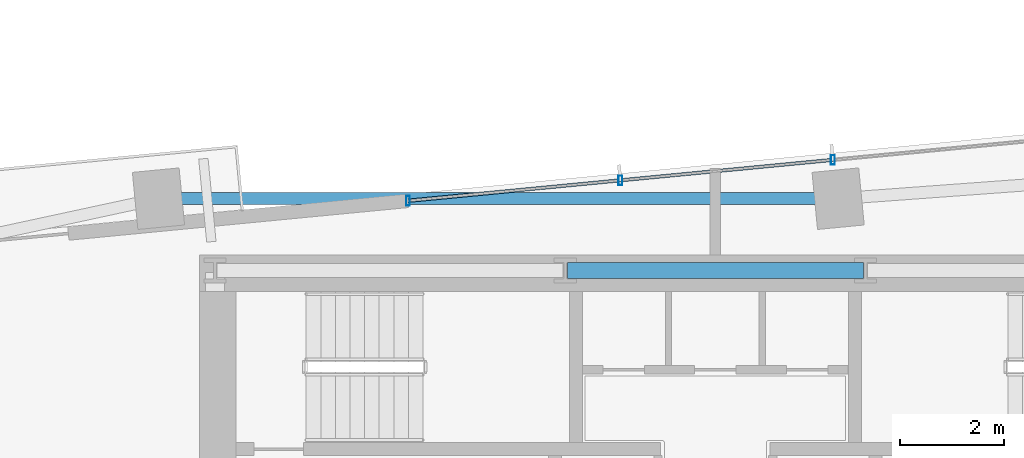
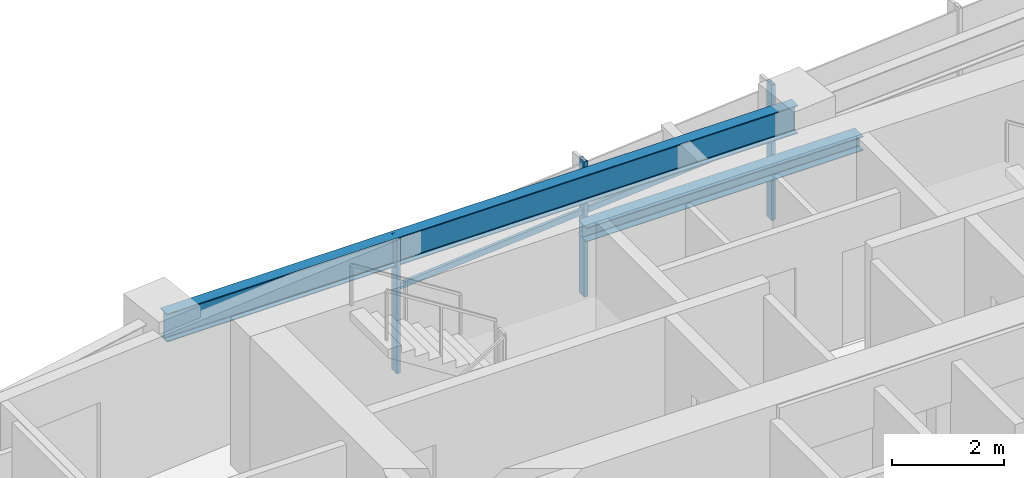
# One storey, part 10 of 27: 5 members, 2 beams, 1 element without a shape of its own.
"""IFC4 building model written with IfcOpenShell, lengths in metres."""

from ifc_helpers import new_model, si_unit, direction, frame, origin, origin_2d, place, context, subcontext, project, spatial, hollow_rectangle, i_section, extrude, source, transform, mapped, material, material_profile, profile_set, type_object, type_shapes, element, aggregate, save


model = new_model("IFC4")

# Units and contexts
model_context = context("Model", 3, precision=1e-05, world=origin(), true_north=direction((0.0, 1.0)))
body_context = subcontext(model_context, "Body", "Model", "MODEL_VIEW")
ifc_project = project(units=[si_unit("LENGTHUNIT", "METRE"), si_unit("AREAUNIT", "SQUARE_METRE"), si_unit("VOLUMEUNIT", "CUBIC_METRE"), si_unit("PLANEANGLEUNIT", "RADIAN"), si_unit("MASSUNIT", "GRAM", prefix="KILO")], contexts=[model_context])

# Site, building, storey
site_placement = place(None, origin())
site = spatial("IfcSite", under=ifc_project, at=site_placement, CompositionType="ELEMENT")
building_placement = place(site_placement, origin())
building = spatial("IfcBuilding", under=site, at=building_placement, Name="Astriad Promenade Condominiums", CompositionType="ELEMENT")
storey_placement = place(building_placement, frame((0.0, 0.0, 109.800048828125)))
storey = spatial("IfcBuildingStorey", under=building, at=storey_placement, Name="L31", CompositionType="ELEMENT", Elevation=109.800048828125)

# Beams
ifc_material_1 = material(Name="Steel ASTM A992 Grade 50", Category="steel")
ifc_material_profile_1 = material_profile(ifc_material_1, i_section(OverallWidth=0.3046875, OverallDepth=0.307861328125, WebThickness=0.010009765625, FlangeThickness=0.015380859375, FilletRadius=0.01513671875, at=origin_2d()), Name="W12X65")
ifc_profile_set_1 = profile_set([ifc_material_profile_1], Name="Steel ASTM A992 Grade 50")
beam_type_1 = type_object("IfcBeamType", Name="STEEL OPENING LINTEL W12X65", PredefinedType="LINTEL", material=ifc_profile_set_1)
shared_shape_1 = source(origin(), body_context, "Body", "SweptSolid", [
    extrude(i_section(OverallWidth=0.3046875, OverallDepth=0.307861328125, WebThickness=0.010009765625, FlangeThickness=0.015380859375, FilletRadius=0.01513671875, at=origin_2d()), origin(), (0.0, 0.0, 1.0), 5.68017578125),
])
type_shapes(beam_type_1, [shared_shape_1])
beam_1_placement = place(storey_placement, frame((33.159912109375, 24.0, 2.7861328125), z_axis=(1.0, 0.0, 0.0), x_axis=(0.0, 1.0, 0.0)))
element("IfcBeam", 1, at=beam_1_placement, inside=storey, type_object=beam_type_1, Name="Core Ring Beam CG-N2-L31", PredefinedType="LINTEL", context=body_context, shape_type="MappedRepresentation", body=[
    mapped(shared_shape_1, transform((0.0, 0.0, 0.0), scale=1.0)),
])
ifc_material_profile_2 = material_profile(ifc_material_1, i_section(OverallWidth=0.22900390625, OverallDepth=0.612060546875, WebThickness=0.011962890625, FlangeThickness=0.01953125, FilletRadius=0.017822265625, at=origin_2d()), Name="W24X84")
ifc_profile_set_2 = profile_set([ifc_material_profile_2], Name="Steel ASTM A992 Grade 50")
beam_type_2 = type_object("IfcBeamType", Name="STEEL SPANDREL BEAM W24X84", PredefinedType="SPANDREL", material=ifc_profile_set_2)
shared_shape_2 = source(origin(), body_context, "Body", "SweptSolid", [
    extrude(i_section(OverallWidth=0.22900390625, OverallDepth=0.612060546875, WebThickness=0.011962890625, FlangeThickness=0.01953125, FilletRadius=0.017822265625, at=origin_2d()), origin(), (0.0, 0.0, 1.0), 12.959716796875),
])
type_shapes(beam_type_2, [shared_shape_2])
beam_2_placement = place(storey_placement, frame((38.314697265625, 25.3798828125, 2.6337890625), z_axis=(-1.0, 0.0, 0.0), x_axis=(0.0, -1.0, 0.0)))
element("IfcBeam", 2, at=beam_2_placement, inside=storey, type_object=beam_type_2, Name="Perimeter Spandrel Beam SP-N2-L31", PredefinedType="SPANDREL", context=body_context, shape_type="MappedRepresentation", body=[
    mapped(shared_shape_2, transform((0.0, 0.0, 0.0), scale=1.0)),
])

# Curtain wall, members
ifc_material_2 = material(Name="Anodised aluminium Black Dark Glass Unitised", Category="aluminium")
curtain_wall_type = type_object("IfcCurtainWallType", Name="CW-B2-DARK", PredefinedType="USERDEFINED", material=ifc_material_2)
curtain_wall_placement = place(storey_placement, origin())
curtain_wall = element("IfcCurtainWall", 3, at=curtain_wall_placement, inside=storey, type_object=curtain_wall_type, Name="CW-L31-N", ObjectType="UNITISED_CURTAIN_WALL", PredefinedType="USERDEFINED")
ifc_material_3 = material(Name="Anodised aluminium 6063-T6 Black", Category="aluminium")
ifc_material_profile_3 = material_profile(ifc_material_3, hollow_rectangle(XDim=0.074951171875, YDim=0.18505859375, WallThickness=0.00439453125, at=origin_2d()), Name="ALU-MUL-75X185")
ifc_profile_set_3 = profile_set([ifc_material_profile_3], Name="Anodised aluminium 6063-T6 Black")
member_type_1 = type_object("IfcMemberType", Name="MUL-ALU-MUL-75X185", PredefinedType="MULLION", material=ifc_profile_set_3)
shared_shape_3 = source(origin(), body_context, "Body", "SweptSolid", [
    extrude(hollow_rectangle(XDim=0.074951171875, YDim=0.18505859375, WallThickness=0.00439453125, at=origin_2d()), origin(), (0.0, 0.0, 1.0), 2.93994140625),
])
type_shapes(member_type_1, [shared_shape_3])
member_1_placement = place(storey_placement, frame((30.101806640625, 25.339599609375, 0.0), z_axis=(0.0, 0.0, 1.0), x_axis=(1.0, 0.0, 0.0)))
member_1 = element("IfcMember", 4, at=member_1_placement, type_object=member_type_1, Name="CW-L31-N-MUL-00", PredefinedType="MULLION", context=body_context, shape_type="MappedRepresentation", body=[
    mapped(shared_shape_3, transform((0.0, 0.0, 0.0), scale=1.0)),
])
member_2_placement = place(storey_placement, frame((34.177734375, 25.732177734375, 0.0), z_axis=(0.0, 0.0, 1.0), x_axis=(1.0, 0.0, 0.0)))
member_2 = element("IfcMember", 5, at=member_2_placement, type_object=member_type_1, Name="CW-L31-N-MUL-01", PredefinedType="MULLION", context=body_context, shape_type="MappedRepresentation", body=[
    mapped(shared_shape_3, transform((0.0, 0.0, 0.0), scale=1.0)),
])
member_3_placement = place(storey_placement, frame((38.25390625, 26.12451171875, 0.0), z_axis=(0.0, 0.0, 1.0), x_axis=(1.0, 0.0, 0.0)))
member_3 = element("IfcMember", 6, at=member_3_placement, type_object=member_type_1, Name="CW-L31-N-MUL-02", PredefinedType="MULLION", context=body_context, shape_type="MappedRepresentation", body=[
    mapped(shared_shape_3, transform((0.0, 0.0, 0.0), scale=1.0)),
])
ifc_material_profile_4 = material_profile(ifc_material_3, hollow_rectangle(XDim=0.06494140625, YDim=0.1298828125, WallThickness=0.00390625, at=origin_2d()), Name="ALU-TRN-65X130")
ifc_profile_set_4 = profile_set([ifc_material_profile_4], Name="Anodised aluminium 6063-T6 Black")
member_type_2 = type_object("IfcMemberType", Name="TRN-ALU-TRN-65X130", PredefinedType="USERDEFINED", material=ifc_profile_set_4)
shared_shape_4 = source(origin(), body_context, "Body", "SweptSolid", [
    extrude(hollow_rectangle(XDim=0.06494140625, YDim=0.1298828125, WallThickness=0.00390625, at=origin_2d()), origin(), (0.0, 0.0, 1.0), 4.0947265625),
])
member_4_placement = place(storey_placement, frame((30.101806640625, 25.339599609375, 1.82275390625), z_axis=(0.995393613612, 0.095872592434, 0.0), x_axis=(-0.095872592434, 0.995393613612, 0.0)))
member_4 = element("IfcMember", 7, at=member_4_placement, type_object=member_type_2, Name="CW-L31-N-TRN-00-0", ObjectType="TRANSOM", PredefinedType="USERDEFINED", context=body_context, shape_type="MappedRepresentation", body=[
    mapped(shared_shape_4, transform((0.0, 0.0, 0.0), scale=1.0)),
])
shared_shape_5 = source(origin(), body_context, "Body", "SweptSolid", [
    extrude(hollow_rectangle(XDim=0.06494140625, YDim=0.1298828125, WallThickness=0.00390625, at=origin_2d()), origin(), (0.0, 0.0, 1.0), 4.094970703125),
])
type_shapes(member_type_2, [shared_shape_4, shared_shape_5])
member_5_placement = place(storey_placement, frame((34.177734375, 25.732177734375, 1.82275390625), z_axis=(0.995399849002, 0.095807831657, 0.0), x_axis=(-0.095807831657, 0.995399849002, 0.0)))
member_5 = element("IfcMember", 8, at=member_5_placement, type_object=member_type_2, Name="CW-L31-N-TRN-01-0", ObjectType="TRANSOM", PredefinedType="USERDEFINED", context=body_context, shape_type="MappedRepresentation", body=[
    mapped(shared_shape_5, transform((0.0, 0.0, 0.0), scale=1.0)),
])
aggregate(curtain_wall, [member_1, member_2, member_3, member_4, member_5])

save(model, "model.ifc")
